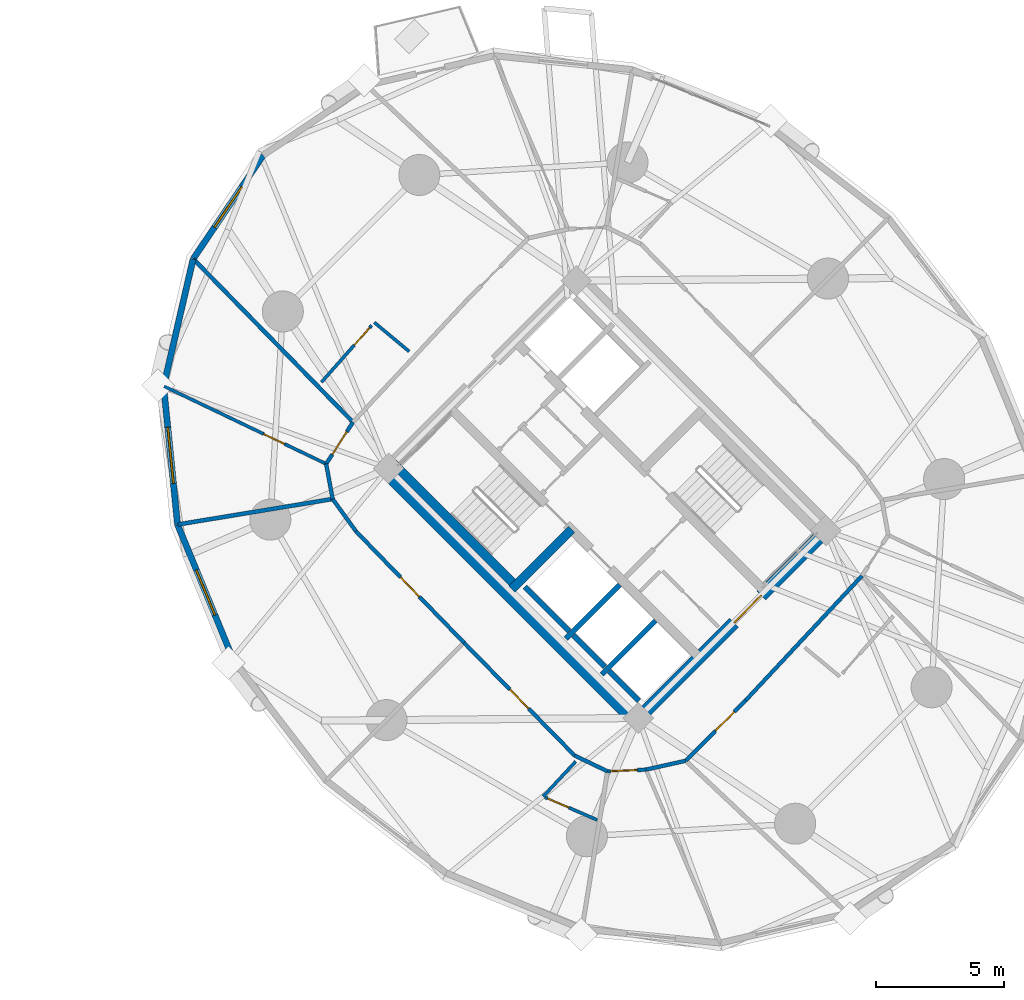
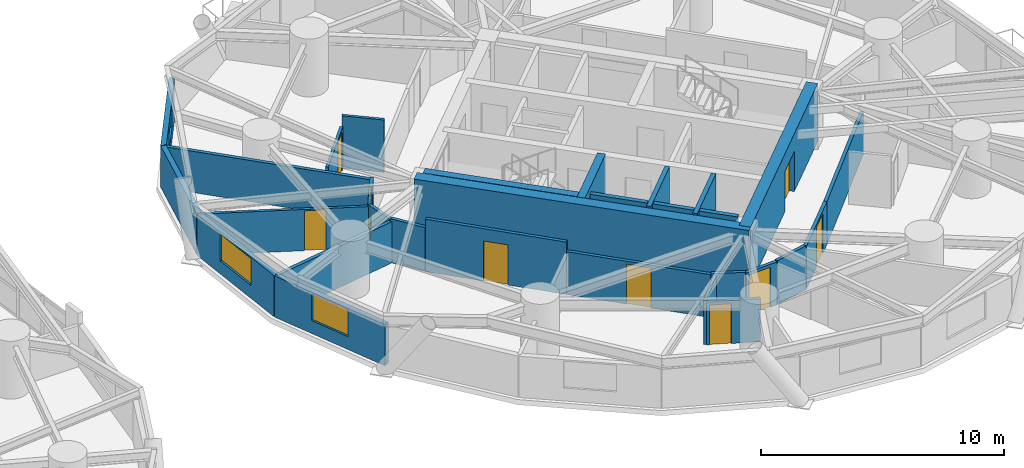
# One storey, part 13 of 19: 30 walls, 9 doors, 3 windows, 12 openings.
"""IFC4 building model written with IfcOpenShell, lengths in metres."""

from ifc_helpers import new_model, si_unit, direction, frame, frame_2d, origin, place, context, subcontext, project, spatial, rectangle, extrude, source, transform, mapped, material, layer, layer_set, type_object, element, fill, save


model = new_model("IFC4")

# Units and contexts
model_context = context("Model", 3, precision=1e-05, world=origin(), true_north=direction((0.0, 1.0)))
body_context = subcontext(model_context, "Body", "Model", "MODEL_VIEW")
ifc_project = project(units=[si_unit("LENGTHUNIT", "METRE"), si_unit("AREAUNIT", "SQUARE_METRE"), si_unit("VOLUMEUNIT", "CUBIC_METRE"), si_unit("PLANEANGLEUNIT", "RADIAN"), si_unit("MASSUNIT", "GRAM", prefix="KILO")], contexts=[model_context])

# Site, building, storey
site_placement = place(None, origin())
site = spatial("IfcSite", under=ifc_project, at=site_placement, CompositionType="ELEMENT")
building_placement = place(site_placement, origin())
building = spatial("IfcBuilding", under=site, at=building_placement, Name="Cununo Teusaquillo Station Towers", CompositionType="ELEMENT")
storey_placement = place(building_placement, frame((0.0, 0.0, 30.72998046875)))
storey = spatial("IfcBuildingStorey", under=building, at=storey_placement, Name="L08", CompositionType="ELEMENT", Elevation=30.72998046875)

# Walls
ifc_material_1 = material(Name="Concrete C50/60", Category="concrete")
ifc_layer_1 = layer(ifc_material_1, 0.199951171875)
ifc_layer_set_1 = layer_set([ifc_layer_1], Name="Concrete C50/60")
wall_type_1 = type_object("IfcWallType", Name="WL-CORE-200", PredefinedType="SHEAR", material=ifc_layer_set_1)
wall_1_placement = place(storey_placement, frame((55.8876953125, 19.0693359375, 0.0), z_axis=(0.0, 0.0, 1.0), x_axis=(0.707106781187, 0.707106781187, 0.0)))
element("IfcWall", 1, at=wall_1_placement, inside=storey, type_object=wall_type_1, Name="L08 Tower B Firefighting Lift Shaft South Shear Wall", PredefinedType="SHEAR", context=body_context, shape_type="SweptSolid", body=[
    extrude(rectangle(XDim=2.969970703125, YDim=0.199951171875, at=frame_2d((1.48486328125, 0.0))), origin(), (0.0, 0.0, 1.0), 2.909912109375),
])
wall_2_placement = place(storey_placement, frame((56.01513671875, 19.366455078125, 0.0), z_axis=(0.0, 0.0, 1.0), x_axis=(-0.707106781187, 0.707106781187, 0.0)))
element("IfcWall", 2, at=wall_2_placement, inside=storey, type_object=wall_type_1, Name="L08 Tower B Firefighting Lift Shaft Rear Shear Wall", PredefinedType="SHEAR", context=body_context, shape_type="SweptSolid", body=[
    extrude(rectangle(XDim=2.43994140625, YDim=0.199951171875, at=frame_2d((1.219970703125, 0.0))), origin(), (0.0, 0.0, 1.0), 2.909912109375),
])
wall_3_placement = place(storey_placement, frame((57.2841796875, 17.6728515625, 0.0), z_axis=(0.0, 0.0, 1.0), x_axis=(0.707147878904, 0.70706568108, 0.0)))
element("IfcWall", 3, at=wall_3_placement, inside=storey, type_object=wall_type_1, Name="L08 Tower B High-Rise Lift Hoistway Divider Shear Wall", PredefinedType="SHEAR", context=body_context, shape_type="SweptSolid", body=[
    extrude(rectangle(XDim=2.97021484375, YDim=0.199951171875, at=frame_2d((1.485107421875, 0.0))), origin(), (0.0, 0.0, 1.0), 2.909912109375),
])
wall_4_placement = place(storey_placement, frame((57.41162109375, 17.969970703125, 0.0), z_axis=(0.0, 0.0, 1.0), x_axis=(-0.707106781187, 0.707106781187, 0.0)))
element("IfcWall", 4, at=wall_4_placement, inside=storey, type_object=wall_type_1, Name="L08 Tower B High-Rise Lift 2 Shaft Rear Shear Wall", PredefinedType="SHEAR", context=body_context, shape_type="SweptSolid", body=[
    extrude(rectangle(XDim=1.73486328125, YDim=0.199951171875, at=frame_2d((0.867431640625, 0.0))), origin(), (0.0, 0.0, 1.0), 2.909912109375),
])
wall_5_placement = place(storey_placement, frame((58.7373046875, 16.64404296875, 0.0), z_axis=(0.0, 0.0, 1.0), x_axis=(-0.707032117043, 0.707181437447, 0.0)))
element("IfcWall", 5, at=wall_5_placement, inside=storey, type_object=wall_type_1, Name="L08 Tower B High-Rise Lift 1 Shaft Rear Shear Wall", PredefinedType="SHEAR", context=body_context, shape_type="SweptSolid", body=[
    extrude(rectangle(XDim=1.635009765625, YDim=0.199951171875, at=frame_2d((0.8173828125, 0.0))), origin(), (0.0, 0.0, 1.0), 2.909912109375),
])
ifc_material_2 = material(Name="Concrete C50/60", Category="concrete")
ifc_layer_2 = layer(ifc_material_2, 0.35009765625)
ifc_layer_set_2 = layer_set([ifc_layer_2], Name="Concrete C50/60")
wall_type_2 = type_object("IfcWallType", Name="WL-CORE-350", PredefinedType="SHEAR", material=ifc_layer_set_2)
wall_6_placement = place(storey_placement, frame((53.922119140625, 21.14111328125, 0.0), z_axis=(0.0, 0.0, 1.0), x_axis=(-0.707106781187, 0.707106781187, 0.0)))
element("IfcWall", 6, at=wall_6_placement, inside=storey, type_object=wall_type_2, Name="L08 Tower B Core Shear Wall ST1W", PredefinedType="SHEAR", context=body_context, shape_type="SweptSolid", body=[
    extrude(rectangle(XDim=6.7451171875, YDim=0.35009765625, at=frame_2d((3.37255859375, 0.0))), origin(), (0.0, 0.0, 1.0), 2.909912109375),
])
wall_7_placement = place(storey_placement, frame((53.7841796875, 21.00341796875, 0.0), z_axis=(0.0, 0.0, 1.0), x_axis=(0.707106781187, 0.707106781187, 0.0)))
element("IfcWall", 7, at=wall_7_placement, inside=storey, type_object=wall_type_2, Name="L08 Tower B Core Shear Wall ST1S", PredefinedType="SHEAR", context=body_context, shape_type="SweptSolid", body=[
    extrude(rectangle(XDim=3.284912109375, YDim=0.35009765625, at=frame_2d((1.642578125, 0.0))), origin(), (0.0, 0.0, 1.0), 2.909912109375),
])
ifc_material_3 = material(Name="Concrete C60/75", Category="concrete")
ifc_layer_3 = layer(ifc_material_3, 0.5)
ifc_layer_set_3 = layer_set([ifc_layer_3], Name="Concrete C60/75")
wall_type_3 = type_object("IfcWallType", Name="WL-CORE-500", PredefinedType="SHEAR", material=ifc_layer_set_3)
wall_8_placement = place(storey_placement, frame((58.772705078125, 15.6611328125, 0.0), z_axis=(0.0, 0.0, 1.0), x_axis=(-0.707106781187, 0.707106781187, 0.0)))
element("IfcWall", 8, at=wall_8_placement, inside=storey, type_object=wall_type_3, Name="L08 Tower B Core Shear Wall W", PredefinedType="SHEAR", context=body_context, shape_type="SweptSolid", body=[
    extrude(rectangle(XDim=14.2998046875, YDim=0.5, at=frame_2d((7.14990234375, 0.0))), origin(), (0.0, 0.0, 1.0), 2.909912109375),
])

# Wall, opening, door
wall_9_placement = place(storey_placement, frame((58.595947265625, 15.837890625, 0.0), z_axis=(0.0, 0.0, 1.0), x_axis=(0.707106781187, 0.707106781187, 0.0)))
wall_9 = element("IfcWall", 9, at=wall_9_placement, inside=storey, type_object=wall_type_3, Name="L08 Tower B Core Shear Wall S", PredefinedType="SHEAR", context=body_context, shape_type="SweptSolid", body=[
    extrude(rectangle(XDim=10.7001953125, YDim=0.5, at=frame_2d((5.35009765625, 0.0))), origin(), (0.0, 0.0, 1.0), 2.909912109375),
])
shared_shape_1 = source(origin(), body_context, "Body", "SweptSolid", [
    extrude(rectangle(XDim=1.5, YDim=2.02001953125, at=frame_2d((0.75, 1.010009765625))), frame((0.0, 0.260009765625, 0.0), z_axis=(0.0, -1.0, 0.0), x_axis=(1.0, 0.0, 0.0)), (0.0, 0.0, 1.0), 0.52001953125),
])
opening_1_placement = place(wall_9_placement, frame((5.449951171875, 0.0, 0.0)))
opening_1 = element("IfcOpeningElement", 10, at=opening_1_placement, cuts=wall_9, Name="Opening D-LB1", PredefinedType="OPENING", context=body_context, shape_type="MappedRepresentation", body=[
    mapped(shared_shape_1, transform((0.0, 0.0, 0.0), x_axis=(1.0, 0.0, 0.0), y_axis=(0.0, 1.0, 0.0), z_axis=(0.0, 0.0, 1.0), scale=1.0)),
])
ifc_material_4 = material(Name="Galvanised fire-rated hollow steel door assembly", Category="steel")
door_type_1 = type_object("IfcDoorType", Name="DR-LOBBY-1500", OperationType="DOUBLE_DOOR_SINGLE_SWING", PredefinedType="DOOR", material=ifc_material_4)
shared_shape_2 = source(origin(), body_context, "Body", "SweptSolid", [
    extrude(rectangle(XDim=1.5, YDim=2.02001953125, at=frame_2d((0.75, 1.010009765625))), frame((0.0, 0.02490234375, 0.0), z_axis=(0.0, -1.0, 0.0), x_axis=(1.0, 0.0, 0.0)), (0.0, 0.0, 1.0), 0.050048828125),
])
door_1_placement = place(opening_1_placement, origin())
door_1 = element("IfcDoor", 11, at=door_1_placement, inside=storey, type_object=door_type_1, Name="L08 Tower B South Core Lift Lobby Door", OperationType="DOUBLE_DOOR_SINGLE_SWING", OverallHeight=2.02001953125, OverallWidth=1.5, PredefinedType="DOOR", context=body_context, shape_type="MappedRepresentation", body=[
    mapped(shared_shape_2, transform((0.0, 0.0, 0.0), x_axis=(1.0, 0.0, 0.0), y_axis=(0.0, 1.0, 0.0), z_axis=(0.0, 0.0, 1.0), scale=1.0)),
])
fill(opening_1, door_1)

# Wall, opening, window
ifc_material_5 = material(Name="Precast concrete C40/50", Category="concrete")
ifc_layer_4 = layer(ifc_material_5, 0.239990234375)
ifc_layer_set_4 = layer_set([ifc_layer_4], Name="Precast concrete C40/50")
wall_type_4 = type_object("IfcWallType", Name="WL-EXT-240", PredefinedType="SOLIDWALL", material=ifc_layer_set_4)
wall_10_placement = place(storey_placement, frame((41.35595703125, 33.87060546875, 0.0), z_axis=(0.0, 0.0, 1.0), x_axis=(0.559621532896, 0.828748297084, 0.0)))
wall_10 = element("IfcWall", 12, at=wall_10_placement, inside=storey, type_object=wall_type_4, Name="L08 Tower B Exterior Facade Wall C05", PredefinedType="SOLIDWALL", context=body_context, shape_type="SweptSolid", body=[
    extrude(rectangle(XDim=4.878662109375, YDim=0.239990234375, at=frame_2d((2.439453125, 0.0))), origin(), (0.0, 0.0, 1.0), 2.072998046875),
])
shared_shape_3 = source(origin(), body_context, "Body", "SweptSolid", [
    extrude(rectangle(XDim=1.89990234375, YDim=1.35009765625, at=frame_2d((0.949951171875, 0.675048828125))), frame((0.0, 0.1298828125, 0.0), z_axis=(0.0, -1.0, 0.0), x_axis=(1.0, 0.0, 0.0)), (0.0, 0.0, 1.0), 0.260009765625),
])
opening_2_placement = place(wall_10_placement, frame((1.489013671875, 0.0, 0.64990234375)))
opening_2 = element("IfcOpeningElement", 13, at=opening_2_placement, cuts=wall_10, Name="Opening WN-02", PredefinedType="OPENING", context=body_context, shape_type="MappedRepresentation", body=[
    mapped(shared_shape_3, transform((0.0, 0.0, 0.0), x_axis=(1.0, 0.0, 0.0), y_axis=(0.0, 1.0, 0.0), z_axis=(0.0, 0.0, 1.0), scale=1.0)),
])
ifc_material_6 = material(Name="Operable acoustic tinted low-E double glazing", Category="glass")
window_type_1 = type_object("IfcWindowType", Name="WIN-OPER-1900", PartitioningType="DOUBLE_PANEL_VERTICAL", PredefinedType="WINDOW", material=ifc_material_6)
shared_shape_4 = source(origin(), body_context, "Body", "SweptSolid", [
    extrude(rectangle(XDim=1.89990234375, YDim=1.35009765625, at=frame_2d((0.949951171875, 0.675048828125))), frame((0.0, 0.030029296875, 0.0), z_axis=(0.0, -1.0, 0.0), x_axis=(1.0, 0.0, 0.0)), (0.0, 0.0, 1.0), 0.06005859375),
])
window_1_placement = place(opening_2_placement, origin())
window_1 = element("IfcWindow", 14, at=window_1_placement, inside=storey, type_object=window_type_1, Name="L08 Tower B Facade Window C05", OverallHeight=1.35009765625, OverallWidth=1.89990234375, PartitioningType="DOUBLE_PANEL_VERTICAL", PredefinedType="WINDOW", context=body_context, shape_type="MappedRepresentation", body=[
    mapped(shared_shape_4, transform((0.0, 0.0, 0.0), x_axis=(1.0, 0.0, 0.0), y_axis=(0.0, 1.0, 0.0), z_axis=(0.0, 0.0, 1.0), scale=1.0)),
])
fill(opening_2, window_1)

# Wall
wall_11_placement = place(storey_placement, frame((40.2060546875, 28.91015625, 0.0), z_axis=(0.0, 0.0, 1.0), x_axis=(0.22582585901, 0.974167686491, 0.0)))
element("IfcWall", 15, at=wall_11_placement, inside=storey, type_object=wall_type_4, Name="L08 Tower B Exterior Facade Wall C06", PredefinedType="SOLIDWALL", context=body_context, shape_type="SweptSolid", body=[
    extrude(rectangle(XDim=5.092041015625, YDim=0.239990234375, at=frame_2d((2.5458984375, 0.0))), origin(), (0.0, 0.0, 1.0), 2.072998046875),
])

# Wall, opening, window
wall_12_placement = place(storey_placement, frame((40.7490234375, 23.51806640625, 0.0), z_axis=(0.0, 0.0, 1.0), x_axis=(-0.100190592135, 0.994968263437, 0.0)))
wall_12 = element("IfcWall", 16, at=wall_12_placement, inside=storey, type_object=wall_type_4, Name="L08 Tower B Exterior Facade Wall C07", PredefinedType="SOLIDWALL", context=body_context, shape_type="SweptSolid", body=[
    extrude(rectangle(XDim=5.41943359375, YDim=0.239990234375, at=frame_2d((2.709716796875, 0.0))), origin(), (0.0, 0.0, 1.0), 2.072998046875),
])
shared_shape_5 = source(origin(), body_context, "Body", "SweptSolid", [
    extrude(rectangle(XDim=2.199951171875, YDim=1.35009765625, at=frame_2d((1.10009765625, 0.675048828125))), frame((0.0, 0.1298828125, 0.0), z_axis=(0.0, -1.0, 0.0), x_axis=(1.0, 0.0, 0.0)), (0.0, 0.0, 1.0), 0.260009765625),
])
opening_3_placement = place(wall_12_placement, frame((1.610107421875, 0.0, 0.64990234375)))
opening_3 = element("IfcOpeningElement", 17, at=opening_3_placement, cuts=wall_12, Name="Opening WN-01", PredefinedType="OPENING", context=body_context, shape_type="MappedRepresentation", body=[
    mapped(shared_shape_5, transform((0.0, 0.0, 0.0), x_axis=(1.0, 0.0, 0.0), y_axis=(0.0, 1.0, 0.0), z_axis=(0.0, 0.0, 1.0), scale=1.0)),
])
ifc_material_7 = material(Name="Ceramic-fritted dark low-E double glazing", Category="glass")
window_type_2 = type_object("IfcWindowType", Name="WIN-FRIT-2200", PartitioningType="DOUBLE_PANEL_VERTICAL", PredefinedType="WINDOW", material=ifc_material_7)
shared_shape_6 = source(origin(), body_context, "Body", "SweptSolid", [
    extrude(rectangle(XDim=2.199951171875, YDim=1.35009765625, at=frame_2d((1.10009765625, 0.675048828125))), frame((0.0, 0.030029296875, 0.0), z_axis=(0.0, -1.0, 0.0), x_axis=(1.0, 0.0, 0.0)), (0.0, 0.0, 1.0), 0.06005859375),
])
window_2_placement = place(opening_3_placement, origin())
window_2 = element("IfcWindow", 18, at=window_2_placement, inside=storey, type_object=window_type_2, Name="L08 Tower B Facade Window C07", OverallHeight=1.35009765625, OverallWidth=2.199951171875, PartitioningType="DOUBLE_PANEL_VERTICAL", PredefinedType="WINDOW", context=body_context, shape_type="MappedRepresentation", body=[
    mapped(shared_shape_6, transform((0.0, 0.0, 0.0), x_axis=(1.0, 0.0, 0.0), y_axis=(0.0, 1.0, 0.0), z_axis=(0.0, 0.0, 1.0), scale=1.0)),
])
fill(opening_3, window_2)

wall_13_placement = place(storey_placement, frame((42.931884765625, 18.22216796875, 0.0), z_axis=(0.0, 0.0, 1.0), x_axis=(-0.381077764176, 0.924542988536, 0.0)))
wall_13 = element("IfcWall", 19, at=wall_13_placement, inside=storey, type_object=wall_type_4, Name="L08 Tower B Exterior Facade Wall C08", PredefinedType="SOLIDWALL", context=body_context, shape_type="SweptSolid", body=[
    extrude(rectangle(XDim=5.72802734375, YDim=0.239990234375, at=frame_2d((2.864013671875, 0.0))), origin(), (0.0, 0.0, 1.0), 2.072998046875),
])
opening_4_placement = place(wall_13_placement, frame((1.9140625, 0.0, 0.64990234375)))
opening_4 = element("IfcOpeningElement", 20, at=opening_4_placement, cuts=wall_13, Name="Opening WN-02", PredefinedType="OPENING", context=body_context, shape_type="MappedRepresentation", body=[
    mapped(shared_shape_3, transform((0.0, 0.0, 0.0), x_axis=(1.0, 0.0, 0.0), y_axis=(0.0, 1.0, 0.0), z_axis=(0.0, 0.0, 1.0), scale=1.0)),
])
window_3_placement = place(opening_4_placement, origin())
window_3 = element("IfcWindow", 21, at=window_3_placement, inside=storey, type_object=window_type_1, Name="L08 Tower B Facade Window C08", OverallHeight=1.35009765625, OverallWidth=1.89990234375, PartitioningType="DOUBLE_PANEL_VERTICAL", PredefinedType="WINDOW", context=body_context, shape_type="MappedRepresentation", body=[
    mapped(shared_shape_4, transform((0.0, 0.0, 0.0), x_axis=(1.0, 0.0, 0.0), y_axis=(0.0, 1.0, 0.0), z_axis=(0.0, 0.0, 1.0), scale=1.0)),
])
fill(opening_4, window_3)

# Wall
ifc_material_8 = material(Name="Fire-rated gypsum plasterboard partition assembly", Category="gypsum")
ifc_layer_5 = layer(ifc_material_8, 0.125)
ifc_layer_set_5 = layer_set([ifc_layer_5], Name="Fire-rated gypsum plasterboard partition assembly")
wall_type_5 = type_object("IfcWallType", Name="WL-PART-125", PredefinedType="PARTITIONING", material=ifc_layer_set_5)
wall_14_placement = place(storey_placement, frame((49.77978515625, 30.264404296875, 0.0), z_axis=(0.0, 0.0, 1.0), x_axis=(-0.768209972595, 0.640197967824, 0.0)))
element("IfcWall", 22, at=wall_14_placement, inside=storey, type_object=wall_type_5, Name="L08 Tower B S02 En-suite Side Wall", PredefinedType="PARTITIONING", context=body_context, shape_type="SweptSolid", body=[
    extrude(rectangle(XDim=1.769775390625, YDim=0.125, at=frame_2d((0.884765625, 0.0))), origin(), (0.0, 0.0, 1.0), 2.635009765625),
])

# Wall, opening, door
wall_15_placement = place(storey_placement, frame((48.318359375, 31.2822265625, 0.0), z_axis=(0.0, 0.0, 1.0), x_axis=(-0.662365127428, -0.749181178333, 0.0)))
wall_15 = element("IfcWall", 23, at=wall_15_placement, inside=storey, type_object=wall_type_5, Name="L08 Tower B S02 En-suite Back Wall", PredefinedType="PARTITIONING", context=body_context, shape_type="SweptSolid", body=[
    extrude(rectangle(XDim=2.952880859375, YDim=0.125, at=frame_2d((1.4765625, 0.0))), origin(), (0.0, 0.0, 1.0), 2.158935546875),
])
shared_shape_7 = source(origin(), body_context, "Body", "SweptSolid", [
    extrude(rectangle(XDim=0.89990234375, YDim=2.0048828125, at=frame_2d((0.449951171875, 1.00244140625))), frame((0.0, 0.072509765625, 0.0), z_axis=(0.0, -1.0, 0.0), x_axis=(1.0, 0.0, 0.0)), (0.0, 0.0, 1.0), 0.14501953125),
])
opening_5_placement = place(wall_15_placement, frame((0.1201171875, 0.0, 0.0)))
opening_5 = element("IfcOpeningElement", 24, at=opening_5_placement, cuts=wall_15, Name="Opening D-IN1", PredefinedType="OPENING", context=body_context, shape_type="MappedRepresentation", body=[
    mapped(shared_shape_7, transform((0.0, 0.0, 0.0), x_axis=(1.0, 0.0, 0.0), y_axis=(0.0, 1.0, 0.0), z_axis=(0.0, 0.0, 1.0), scale=1.0)),
])
ifc_material_9 = material(Name="Acoustic solid-core hardwood leaf assembly", Category="wood")
door_type_2 = type_object("IfcDoorType", Name="DR-INT-900", OperationType="NOTDEFINED", PredefinedType="DOOR", material=ifc_material_9)
shared_shape_8 = source(origin(), body_context, "Body", "SweptSolid", [
    extrude(rectangle(XDim=0.89990234375, YDim=2.0048828125, at=frame_2d((0.449951171875, 1.00244140625))), frame((0.0, 0.02490234375, 0.0), z_axis=(0.0, -1.0, 0.0), x_axis=(1.0, 0.0, 0.0)), (0.0, 0.0, 1.0), 0.050048828125),
])
door_2_placement = place(opening_5_placement, origin())
door_2 = element("IfcDoor", 25, at=door_2_placement, inside=storey, type_object=door_type_2, Name="L08 Tower B S02 En-suite Bathroom Door", OperationType="SINGLE_SWING_LEFT", OverallHeight=2.0048828125, OverallWidth=0.89990234375, PredefinedType="DOOR", context=body_context, shape_type="MappedRepresentation", body=[
    mapped(shared_shape_8, transform((0.0, 0.0, 0.0), x_axis=(1.0, 0.0, 0.0), y_axis=(0.0, 1.0, 0.0), z_axis=(0.0, 0.0, 1.0), scale=1.0)),
])
fill(opening_5, door_2)

wall_16_placement = place(storey_placement, frame((46.543212890625, 25.882080078125, 0.0), z_axis=(0.0, 0.0, 1.0), x_axis=(-0.901937110034, 0.431867398103, 0.0)))
wall_16 = element("IfcWall", 26, at=wall_16_placement, inside=storey, type_object=wall_type_5, Name="L08 Tower B Hotel Executive Meeting Room Suite Subdividing Wall", PredefinedType="PARTITIONING", context=body_context, shape_type="SweptSolid", body=[
    extrude(rectangle(XDim=7.004150390625, YDim=0.125, at=frame_2d((3.501953125, 0.0))), origin(), (0.0, 0.0, 1.0), 2.072998046875),
])
opening_6_placement = place(wall_16_placement, frame((1.800048828125, 0.0, 0.0)))
opening_6 = element("IfcOpeningElement", 27, at=opening_6_placement, cuts=wall_16, Name="Opening D-IN1", PredefinedType="OPENING", context=body_context, shape_type="MappedRepresentation", body=[
    mapped(shared_shape_7, transform((0.0, 0.0, 0.0), x_axis=(1.0, 0.0, 0.0), y_axis=(0.0, 1.0, 0.0), z_axis=(0.0, 0.0, 1.0), scale=1.0)),
])
door_3_placement = place(opening_6_placement, origin())
door_3 = element("IfcDoor", 28, at=door_3_placement, inside=storey, type_object=door_type_2, Name="L08 Tower B Hotel Executive Meeting Room Suite Connecting Door", OperationType="SINGLE_SWING_LEFT", OverallHeight=2.0048828125, OverallWidth=0.89990234375, PredefinedType="DOOR", context=body_context, shape_type="MappedRepresentation", body=[
    mapped(shared_shape_8, transform((0.0, 0.0, 0.0), x_axis=(1.0, 0.0, 0.0), y_axis=(0.0, 1.0, 0.0), z_axis=(0.0, 0.0, 1.0), scale=1.0)),
])
fill(opening_6, door_3)

# Wall
wall_17_placement = place(storey_placement, frame((56.27392578125, 14.283203125, 0.0), z_axis=(0.0, 0.0, 1.0), x_axis=(-0.679968993343, -0.733240866354, 0.0)))
element("IfcWall", 29, at=wall_17_placement, inside=storey, type_object=wall_type_5, Name="L08 Tower B S05 En-suite Side Wall", PredefinedType="PARTITIONING", context=body_context, shape_type="SweptSolid", body=[
    extrude(rectangle(XDim=1.865234375, YDim=0.125, at=frame_2d((0.9326171875, 0.0))), origin(), (0.0, 0.0, 1.0), 2.205078125),
])

# Wall, opening, door
wall_18_placement = place(storey_placement, frame((55.069091796875, 12.8876953125, 0.0), z_axis=(0.0, 0.0, 1.0), x_axis=(0.916790743628, -0.399367916085, 0.0)))
wall_18 = element("IfcWall", 30, at=wall_18_placement, inside=storey, type_object=wall_type_5, Name="L08 Tower B S05 En-suite Back Wall", PredefinedType="PARTITIONING", context=body_context, shape_type="SweptSolid", body=[
    extrude(rectangle(XDim=2.22509765625, YDim=0.125, at=frame_2d((1.112548828125, 0.0))), origin(), (0.0, 0.0, 1.0), 2.158935546875),
])
opening_7_placement = place(wall_18_placement, frame((0.1201171875, 0.0, 0.0)))
opening_7 = element("IfcOpeningElement", 31, at=opening_7_placement, cuts=wall_18, Name="Opening D-IN1", PredefinedType="OPENING", context=body_context, shape_type="MappedRepresentation", body=[
    mapped(shared_shape_7, transform((0.0, 0.0, 0.0), x_axis=(1.0, 0.0, 0.0), y_axis=(0.0, 1.0, 0.0), z_axis=(0.0, 0.0, 1.0), scale=1.0)),
])
door_4_placement = place(opening_7_placement, origin())
door_4 = element("IfcDoor", 32, at=door_4_placement, inside=storey, type_object=door_type_2, Name="L08 Tower B S05 En-suite Bathroom Door", OperationType="SINGLE_SWING_RIGHT", OverallHeight=2.0048828125, OverallWidth=0.89990234375, PredefinedType="DOOR", context=body_context, shape_type="MappedRepresentation", body=[
    mapped(shared_shape_8, transform((0.0, 0.0, 0.0), x_axis=(1.0, 0.0, 0.0), y_axis=(0.0, 1.0, 0.0), z_axis=(0.0, 0.0, 1.0), scale=1.0)),
])
fill(opening_7, door_4)

ifc_material_10 = material(Name="Fire-rated gypsum plasterboard partition assembly", Category="gypsum")
ifc_layer_6 = layer(ifc_material_10, 0.14990234375)
ifc_layer_set_6 = layer_set([ifc_layer_6], Name="Fire-rated gypsum plasterboard partition assembly")
wall_type_6 = type_object("IfcWallType", Name="WL-PART-150", PredefinedType="PARTITIONING", material=ifc_layer_set_6)
wall_19_placement = place(storey_placement, frame((47.58837890625, 27.51025390625, 0.0), z_axis=(0.0, 0.0, 1.0), x_axis=(-0.540202619347, -0.841534984449, 0.0)))
wall_19 = element("IfcWall", 33, at=wall_19_placement, inside=storey, type_object=wall_type_6, Name="L08 Tower B Corridor Ring Wall C06", PredefinedType="PARTITIONING", context=body_context, shape_type="SweptSolid", body=[
    extrude(rectangle(XDim=1.934814453125, YDim=0.14990234375, at=frame_2d((0.96728515625, 0.0))), origin(), (0.0, 0.0, 1.0), 2.158935546875),
])
shared_shape_9 = source(origin(), body_context, "Body", "SweptSolid", [
    extrude(rectangle(XDim=1.050048828125, YDim=2.014892578125, at=frame_2d((0.52490234375, 1.00732421875))), frame((0.0, 0.0849609375, 0.0), z_axis=(0.0, -1.0, 0.0), x_axis=(1.0, 0.0, 0.0)), (0.0, 0.0, 1.0), 0.169921875),
])
opening_8_placement = place(wall_19_placement, frame((0.4423828125, 0.0, 0.0)))
opening_8 = element("IfcOpeningElement", 34, at=opening_8_placement, cuts=wall_19, Name="Opening D-SU1", PredefinedType="OPENING", context=body_context, shape_type="MappedRepresentation", body=[
    mapped(shared_shape_9, transform((0.0, 0.0, 0.0), x_axis=(1.0, 0.0, 0.0), y_axis=(0.0, 1.0, 0.0), z_axis=(0.0, 0.0, 1.0), scale=1.0)),
])
ifc_material_11 = material(Name="Acoustic solid-core hardwood leaf assembly", Category="wood")
door_type_3 = type_object("IfcDoorType", Name="DR-SUITE-1050", OperationType="NOTDEFINED", PredefinedType="DOOR", material=ifc_material_11)
shared_shape_10 = source(origin(), body_context, "Body", "SweptSolid", [
    extrude(rectangle(XDim=1.050048828125, YDim=2.014892578125, at=frame_2d((0.52490234375, 1.00732421875))), frame((0.0, 0.02490234375, 0.0), z_axis=(0.0, -1.0, 0.0), x_axis=(1.0, 0.0, 0.0)), (0.0, 0.0, 1.0), 0.050048828125),
])
door_5_placement = place(opening_8_placement, origin())
door_5 = element("IfcDoor", 35, at=door_5_placement, inside=storey, type_object=door_type_3, Name="L08 Tower B Hotel Executive Meeting Room Entrance Door", OperationType="SINGLE_SWING_RIGHT", OverallHeight=2.014892578125, OverallWidth=1.050048828125, PredefinedType="DOOR", context=body_context, shape_type="MappedRepresentation", body=[
    mapped(shared_shape_10, transform((0.0, 0.0, 0.0), x_axis=(1.0, 0.0, 0.0), y_axis=(0.0, 1.0, 0.0), z_axis=(0.0, 0.0, 1.0), scale=1.0)),
])
fill(opening_8, door_5)

# Walls
wall_20_placement = place(storey_placement, frame((46.543212890625, 25.882080078125, 0.0), z_axis=(0.0, 0.0, 1.0), x_axis=(0.181153502579, -0.983454832976, 0.0)))
element("IfcWall", 36, at=wall_20_placement, inside=storey, type_object=wall_type_6, Name="L08 Tower B Corridor Ring Wall C07", PredefinedType="PARTITIONING", context=body_context, shape_type="SweptSolid", body=[
    extrude(rectangle(XDim=1.39208984375, YDim=0.14990234375, at=frame_2d((0.696044921875, 0.0))), origin(), (0.0, 0.0, 1.0), 2.158935546875),
])
wall_21_placement = place(storey_placement, frame((46.79541015625, 24.512939453125, 0.0), z_axis=(0.0, 0.0, 1.0), x_axis=(0.585628197524, -0.810579801294, 0.0)))
element("IfcWall", 37, at=wall_21_placement, inside=storey, type_object=wall_type_6, Name="L08 Tower B Corridor Ring Wall C08", PredefinedType="PARTITIONING", context=body_context, shape_type="SweptSolid", body=[
    extrude(rectangle(XDim=1.55419921875, YDim=0.14990234375, at=frame_2d((0.777099609375, 0.0))), origin(), (0.0, 0.0, 1.0), 2.205078125),
])

# Wall, opening, door
wall_22_placement = place(storey_placement, frame((47.70556640625, 23.253173828125, 0.0), z_axis=(0.0, 0.0, 1.0), x_axis=(0.696179266346, -0.717867974707, 0.0)))
wall_22 = element("IfcWall", 38, at=wall_22_placement, inside=storey, type_object=wall_type_6, Name="L08 Tower B Corridor Ring Wall C09", PredefinedType="PARTITIONING", context=body_context, shape_type="SweptSolid", body=[
    extrude(rectangle(XDim=6.044677734375, YDim=0.14990234375, at=frame_2d((3.0224609375, 0.0))), origin(), (0.0, 0.0, 1.0), 2.635009765625),
])
opening_9_placement = place(wall_22_placement, frame((2.497314453125, 0.0, 0.0)))
opening_9 = element("IfcOpeningElement", 39, at=opening_9_placement, cuts=wall_22, Name="Opening D-SU1", PredefinedType="OPENING", context=body_context, shape_type="MappedRepresentation", body=[
    mapped(shared_shape_9, transform((0.0, 0.0, 0.0), x_axis=(1.0, 0.0, 0.0), y_axis=(0.0, 1.0, 0.0), z_axis=(0.0, 0.0, 1.0), scale=1.0)),
])
door_6_placement = place(opening_9_placement, origin())
door_6 = element("IfcDoor", 40, at=door_6_placement, inside=storey, type_object=door_type_3, Name="L08 Tower B Hotel Wellness & Fitness Salon Entrance Door", OperationType="SINGLE_SWING_RIGHT", OverallHeight=2.014892578125, OverallWidth=1.050048828125, PredefinedType="DOOR", context=body_context, shape_type="MappedRepresentation", body=[
    mapped(shared_shape_10, transform((0.0, 0.0, 0.0), x_axis=(1.0, 0.0, 0.0), y_axis=(0.0, 1.0, 0.0), z_axis=(0.0, 0.0, 1.0), scale=1.0)),
])
fill(opening_9, door_6)

wall_23_placement = place(storey_placement, frame((51.913818359375, 18.913818359375, 0.0), z_axis=(0.0, 0.0, 1.0), x_axis=(0.699999313799, -0.714143515465, 0.0)))
wall_23 = element("IfcWall", 41, at=wall_23_placement, inside=storey, type_object=wall_type_6, Name="L08 Tower B Corridor Ring Wall C10", PredefinedType="PARTITIONING", context=body_context, shape_type="SweptSolid", body=[
    extrude(rectangle(XDim=6.162109375, YDim=0.14990234375, at=frame_2d((3.0810546875, 0.0))), origin(), (0.0, 0.0, 1.0), 2.158935546875),
])
opening_10_placement = place(wall_23_placement, frame((2.55615234375, 0.0, 0.0)))
opening_10 = element("IfcOpeningElement", 42, at=opening_10_placement, cuts=wall_23, Name="Opening D-SU1", PredefinedType="OPENING", context=body_context, shape_type="MappedRepresentation", body=[
    mapped(shared_shape_9, transform((0.0, 0.0, 0.0), x_axis=(1.0, 0.0, 0.0), y_axis=(0.0, 1.0, 0.0), z_axis=(0.0, 0.0, 1.0), scale=1.0)),
])
door_7_placement = place(opening_10_placement, origin())
door_7 = element("IfcDoor", 43, at=door_7_placement, inside=storey, type_object=door_type_3, Name="L08 Tower B Ambassador Hospitality Suite Entrance Door", OperationType="SINGLE_SWING_LEFT", OverallHeight=2.014892578125, OverallWidth=1.050048828125, PredefinedType="DOOR", context=body_context, shape_type="MappedRepresentation", body=[
    mapped(shared_shape_10, transform((0.0, 0.0, 0.0), x_axis=(1.0, 0.0, 0.0), y_axis=(0.0, 1.0, 0.0), z_axis=(0.0, 0.0, 1.0), scale=1.0)),
])
fill(opening_10, door_7)

# Wall
wall_24_placement = place(storey_placement, frame((56.227294921875, 14.51318359375, 0.0), z_axis=(0.0, 0.0, 1.0), x_axis=(0.901477579283, -0.432825801044, 0.0)))
element("IfcWall", 44, at=wall_24_placement, inside=storey, type_object=wall_type_6, Name="L08 Tower B Corridor Ring Wall C11", PredefinedType="PARTITIONING", context=body_context, shape_type="SweptSolid", body=[
    extrude(rectangle(XDim=1.42431640625, YDim=0.14990234375, at=frame_2d((0.712158203125, 0.0))), origin(), (0.0, 0.0, 1.0), 2.205078125),
])

# Wall, opening, door
wall_25_placement = place(storey_placement, frame((57.51123046875, 13.896728515625, 0.0), z_axis=(0.0, 0.0, 1.0), x_axis=(0.999024538494, 0.044158481476, 0.0)))
wall_25 = element("IfcWall", 45, at=wall_25_placement, inside=storey, type_object=wall_type_6, Name="L08 Tower B Corridor Ring Wall C12", PredefinedType="PARTITIONING", context=body_context, shape_type="SweptSolid", body=[
    extrude(rectangle(XDim=1.498291015625, YDim=0.14990234375, at=frame_2d((0.7490234375, 0.0))), origin(), (0.0, 0.0, 1.0), 2.158935546875),
])
opening_11_placement = place(wall_25_placement, frame((0.1201171875, 0.0, 0.0)))
opening_11 = element("IfcOpeningElement", 46, at=opening_11_placement, cuts=wall_25, Name="Opening D-SU1", PredefinedType="OPENING", context=body_context, shape_type="MappedRepresentation", body=[
    mapped(shared_shape_9, transform((0.0, 0.0, 0.0), x_axis=(1.0, 0.0, 0.0), y_axis=(0.0, 1.0, 0.0), z_axis=(0.0, 0.0, 1.0), scale=1.0)),
])
door_8_placement = place(opening_11_placement, origin())
door_8 = element("IfcDoor", 47, at=door_8_placement, inside=storey, type_object=door_type_3, Name="L08 Tower B Hotel Tea & Reading Salon Entrance Door", OperationType="SINGLE_SWING_LEFT", OverallHeight=2.014892578125, OverallWidth=1.050048828125, PredefinedType="DOOR", context=body_context, shape_type="MappedRepresentation", body=[
    mapped(shared_shape_10, transform((0.0, 0.0, 0.0), x_axis=(1.0, 0.0, 0.0), y_axis=(0.0, 1.0, 0.0), z_axis=(0.0, 0.0, 1.0), scale=1.0)),
])
fill(opening_11, door_8)

# Wall
wall_26_placement = place(storey_placement, frame((59.008056640625, 13.962890625, 0.0), z_axis=(0.0, 0.0, 1.0), x_axis=(0.976020856791, 0.21767702476, 0.0)))
element("IfcWall", 48, at=wall_26_placement, inside=storey, type_object=wall_type_6, Name="L08 Tower B Corridor Ring Wall C13", PredefinedType="PARTITIONING", context=body_context, shape_type="SweptSolid", body=[
    extrude(rectangle(XDim=1.592529296875, YDim=0.14990234375, at=frame_2d((0.79638671875, 0.0))), origin(), (0.0, 0.0, 1.0), 2.205078125),
])

# Wall, opening, door
wall_27_placement = place(storey_placement, frame((60.5625, 14.3095703125, 0.0), z_axis=(0.0, 0.0, 1.0), x_axis=(0.704566236161, 0.709638230975, 0.0)))
wall_27 = element("IfcWall", 49, at=wall_27_placement, inside=storey, type_object=wall_type_6, Name="L08 Tower B Corridor Ring Wall C14", PredefinedType="PARTITIONING", context=body_context, shape_type="SweptSolid", body=[
    extrude(rectangle(XDim=3.3212890625, YDim=0.14990234375, at=frame_2d((1.66064453125, 0.0))), origin(), (0.0, 0.0, 1.0), 2.158935546875),
])
opening_12_placement = place(wall_27_placement, frame((1.643310546875, 0.0, 0.0)))
opening_12 = element("IfcOpeningElement", 50, at=opening_12_placement, cuts=wall_27, Name="Opening D-SU1", PredefinedType="OPENING", context=body_context, shape_type="MappedRepresentation", body=[
    mapped(shared_shape_9, transform((0.0, 0.0, 0.0), x_axis=(1.0, 0.0, 0.0), y_axis=(0.0, 1.0, 0.0), z_axis=(0.0, 0.0, 1.0), scale=1.0)),
])
door_9_placement = place(opening_12_placement, origin())
door_9 = element("IfcDoor", 51, at=door_9_placement, inside=storey, type_object=door_type_3, Name="L08 Tower B Diplomatic Corner Hotel Suite Entrance Door", OperationType="SINGLE_SWING_LEFT", OverallHeight=2.014892578125, OverallWidth=1.050048828125, PredefinedType="DOOR", context=body_context, shape_type="MappedRepresentation", body=[
    mapped(shared_shape_10, transform((0.0, 0.0, 0.0), x_axis=(1.0, 0.0, 0.0), y_axis=(0.0, 1.0, 0.0), z_axis=(0.0, 0.0, 1.0), scale=1.0)),
])
fill(opening_12, door_9)

# Walls
wall_28_placement = place(storey_placement, frame((62.902587890625, 16.66650390625, 0.0), z_axis=(0.0, 0.0, 1.0), x_axis=(0.682371947497, 0.731005147225, 0.0)))
element("IfcWall", 52, at=wall_28_placement, inside=storey, type_object=wall_type_6, Name="L08 Tower B Corridor Ring Wall C15", PredefinedType="PARTITIONING", context=body_context, shape_type="SweptSolid", body=[
    extrude(rectangle(XDim=6.6416015625, YDim=0.14990234375, at=frame_2d((3.32080078125, 0.0))), origin(), (0.0, 0.0, 1.0), 2.158935546875),
])
ifc_material_12 = material(Name="Fire-rated gypsum plasterboard partition assembly", Category="gypsum")
ifc_layer_7 = layer(ifc_material_12, 0.159912109375)
ifc_layer_set_7 = layer_set([ifc_layer_7], Name="Fire-rated gypsum plasterboard partition assembly")
wall_type_7 = type_object("IfcWallType", Name="WL-PART-160", PredefinedType="PARTITIONING", material=ifc_layer_set_7)
wall_29_placement = place(storey_placement, frame((47.58837890625, 27.51025390625, 0.0), z_axis=(0.0, 0.0, 1.0), x_axis=(-0.699371977892, 0.714757886657, 0.0)))
element("IfcWall", 53, at=wall_29_placement, inside=storey, type_object=wall_type_7, Name="L08 Tower B Radial Suite Partition R04", PredefinedType="PARTITIONING", context=body_context, shape_type="SweptSolid", body=[
    extrude(rectangle(XDim=8.885986328125, YDim=0.159912109375, at=frame_2d((4.44287109375, 0.0))), origin(), (0.0, 0.0, 1.0), 2.072998046875),
])
wall_30_placement = place(storey_placement, frame((46.79541015625, 24.512939453125, 0.0), z_axis=(0.0, 0.0, 1.0), x_axis=(-0.986729986004, -0.162369746937, 0.0)))
element("IfcWall", 54, at=wall_30_placement, inside=storey, type_object=wall_type_7, Name="L08 Tower B Radial Suite Partition R05", PredefinedType="PARTITIONING", context=body_context, shape_type="SweptSolid", body=[
    extrude(rectangle(XDim=6.107666015625, YDim=0.159912109375, at=frame_2d((3.0537109375, 0.0))), origin(), (0.0, 0.0, 1.0), 2.072998046875),
])

save(model, "model.ifc")
